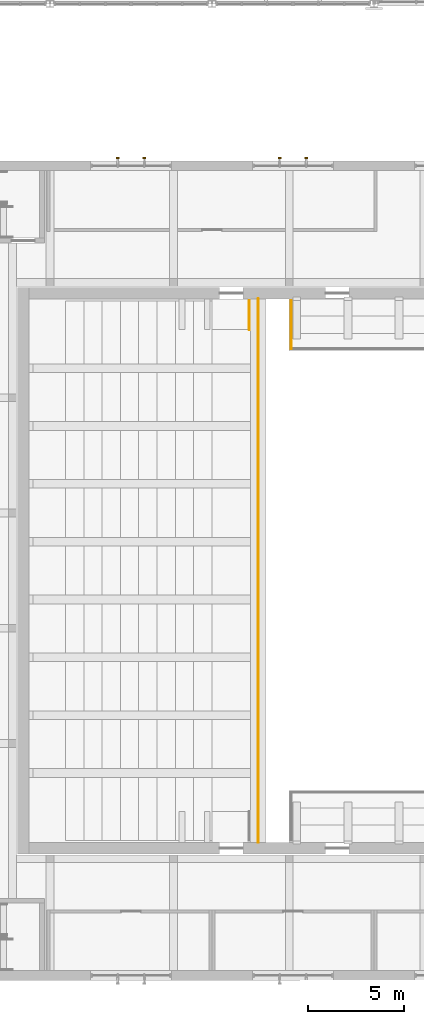
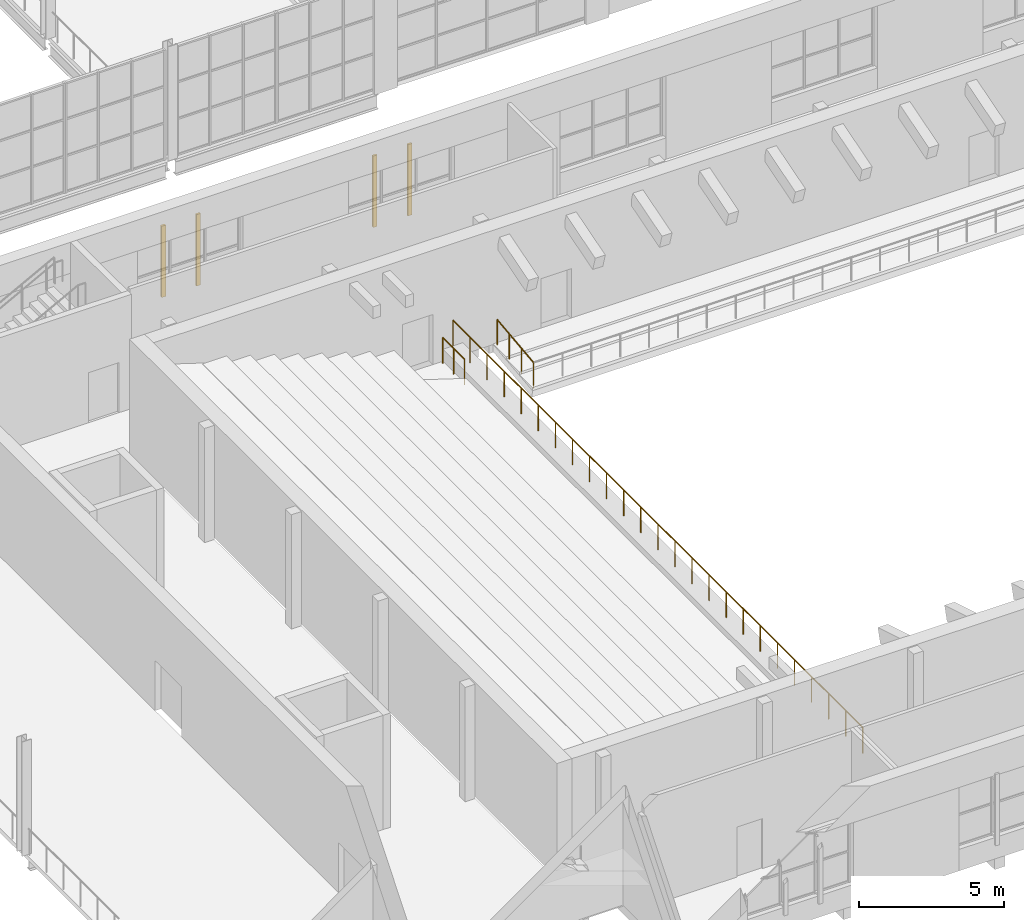
# One storey, part 118 of 127: 4 shading devices, 3 railings.
"""IFC4 building model written with IfcOpenShell, lengths in metres."""

from ifc_helpers import new_model, si_unit, direction, frame, origin, origin_2d, place, context, subcontext, project, spatial, rectangle, circle, extrude, material, type_object, element, save


model = new_model("IFC4")

# Units and contexts
model_context = context("Model", 3, precision=1e-05, world=origin(), true_north=direction((0.0, 1.0)))
body_context = subcontext(model_context, "Body", "Model", "MODEL_VIEW")
ifc_project = project(units=[si_unit("LENGTHUNIT", "METRE"), si_unit("AREAUNIT", "SQUARE_METRE"), si_unit("VOLUMEUNIT", "CUBIC_METRE"), si_unit("PLANEANGLEUNIT", "RADIAN"), si_unit("MASSUNIT", "GRAM", prefix="KILO")], contexts=[model_context])

# Site, building, storey
site_placement = place(None, origin())
site = spatial("IfcSite", under=ifc_project, at=site_placement, CompositionType="ELEMENT")
building_placement = place(site_placement, origin())
building = spatial("IfcBuilding", under=site, at=building_placement, Name="Ljudholm Concert House", CompositionType="ELEMENT")
storey_placement = place(building_placement, frame((0.0, 0.0, 5.39990234375)))
storey = spatial("IfcBuildingStorey", under=building, at=storey_placement, Name="L01", CompositionType="ELEMENT", Elevation=5.39990234375)

# Shading devices
ifc_material_1 = material(Name="Aluminium extrusion with timber-grain PVDF finish", Category="aluminium")
shading_device_type = type_object("IfcShadingDeviceType", Name="FACADE FIN 80x160", PredefinedType="SHUTTER", material=ifc_material_1)
for number, where, z_axis, x_axis, name in (
    (1, (41.110107421875, 96.81005859375, 0.7001953125), (0.0, 0.0, 1.0), (0.0, 1.0, 0.0), "Facade fin"),
    (2, (42.489990234375, 96.81005859375, 0.7001953125), (0.0, 0.0, 1.0), (0.0, 1.0, 0.0), "Facade fin"),
    (3, (49.510009765625, 96.81005859375, 0.7001953125), (0.0, 0.0, 1.0), (0.0, 1.0, 0.0), "Facade fin"),
    (4, (50.889892578125, 96.81005859375, 0.7001953125), (0.0, 0.0, 1.0), (0.0, 1.0, 0.0), "Facade fin"),
):
    element("IfcShadingDevice", number, at=place(storey_placement, frame(where, z_axis=z_axis, x_axis=x_axis)), inside=storey, type_object=shading_device_type, Name=name, PredefinedType="SHUTTER", context=body_context, shape_type="SweptSolid", body=[
        extrude(rectangle(XDim=0.080078125, YDim=0.159912109375, at=origin_2d()), origin(), (0.0, 0.0, 1.0), 3.0),
    ])

# Railings
ifc_material_2 = material(Name="Steel ASTM A36", Category="steel")
railing_type = type_object("IfcRailingType", Name="GUARD 1100", PredefinedType="GUARDRAIL", material=ifc_material_2)
railing_1_placement = place(storey_placement, frame((47.93994140625, 87.89990234375, 0.0)))
element("IfcRailing", 5, at=railing_1_placement, inside=storey, type_object=railing_type, Name="Landing guard", PredefinedType="GUARDRAIL", context=body_context, shape_type="SweptSolid", body=[
    extrude(circle(Radius=0.02490234375, at=origin_2d()), frame((0.0, 0.0, 1.0751953125), z_axis=(0.0, 1.0, 0.0), x_axis=(-1.0, 0.0, 0.0)), (0.0, 0.0, 1.0), 1.5),
    extrude(circle(Radius=0.02099609375, at=origin_2d()), origin(), (0.0, 0.0, 1.0), 1.050048828125),
    extrude(circle(Radius=0.02099609375, at=origin_2d()), frame((0.0, 0.75, 0.0)), (0.0, 0.0, 1.0), 1.050048828125),
    extrude(circle(Radius=0.02099609375, at=origin_2d()), frame((0.0, 1.5, 0.0)), (0.0, 0.0, 1.0), 1.050048828125),
])
railing_2_placement = place(storey_placement, frame((48.39990234375, 61.300048828125, 0.502685546875)))
element("IfcRailing", 6, at=railing_2_placement, inside=storey, type_object=railing_type, Name="Tier guard", PredefinedType="GUARDRAIL", context=body_context, shape_type="SweptSolid", body=[
    extrude(circle(Radius=0.02490234375, at=origin_2d()), frame((0.0, 0.0, 1.0751953125), z_axis=(0.0, 1.0, 0.0), x_axis=(-1.0, 0.0, 0.0)), (0.0, 0.0, 1.0), 28.199951171875),
    extrude(circle(Radius=0.02099609375, at=origin_2d()), origin(), (0.0, 0.0, 1.0), 1.050048828125),
    extrude(circle(Radius=0.02099609375, at=origin_2d()), frame((0.0, 1.175048828125, 0.0)), (0.0, 0.0, 1.0), 1.050048828125),
    extrude(circle(Radius=0.02099609375, at=origin_2d()), frame((0.0, 2.35009765625, 0.0)), (0.0, 0.0, 1.0), 1.050048828125),
    extrude(circle(Radius=0.02099609375, at=origin_2d()), frame((0.0, 3.52490234375, 0.0)), (0.0, 0.0, 1.0), 1.050048828125),
    extrude(circle(Radius=0.02099609375, at=origin_2d()), frame((0.0, 4.699951171875, 0.0)), (0.0, 0.0, 1.0), 1.050048828125),
    extrude(circle(Radius=0.02099609375, at=origin_2d()), frame((0.0, 5.875, 0.0)), (0.0, 0.0, 1.0), 1.050048828125),
    extrude(circle(Radius=0.02099609375, at=origin_2d()), frame((0.0, 7.050048828125, 0.0)), (0.0, 0.0, 1.0), 1.050048828125),
    extrude(circle(Radius=0.02099609375, at=origin_2d()), frame((0.0, 8.22509765625, 0.0)), (0.0, 0.0, 1.0), 1.050048828125),
    extrude(circle(Radius=0.02099609375, at=origin_2d()), frame((0.0, 9.39990234375, 0.0)), (0.0, 0.0, 1.0), 1.050048828125),
    extrude(circle(Radius=0.02099609375, at=origin_2d()), frame((0.0, 10.574951171875, 0.0)), (0.0, 0.0, 1.0), 1.050048828125),
    extrude(circle(Radius=0.02099609375, at=origin_2d()), frame((0.0, 11.75, 0.0)), (0.0, 0.0, 1.0), 1.050048828125),
    extrude(circle(Radius=0.02099609375, at=origin_2d()), frame((0.0, 12.925048828125, 0.0)), (0.0, 0.0, 1.0), 1.050048828125),
    extrude(circle(Radius=0.02099609375, at=origin_2d()), frame((0.0, 14.10009765625, 0.0)), (0.0, 0.0, 1.0), 1.050048828125),
    extrude(circle(Radius=0.02099609375, at=origin_2d()), frame((0.0, 15.27490234375, 0.0)), (0.0, 0.0, 1.0), 1.050048828125),
    extrude(circle(Radius=0.02099609375, at=origin_2d()), frame((0.0, 16.449951171875, 0.0)), (0.0, 0.0, 1.0), 1.050048828125),
    extrude(circle(Radius=0.02099609375, at=origin_2d()), frame((0.0, 17.625, 0.0)), (0.0, 0.0, 1.0), 1.050048828125),
    extrude(circle(Radius=0.02099609375, at=origin_2d()), frame((0.0, 18.800048828125, 0.0)), (0.0, 0.0, 1.0), 1.050048828125),
    extrude(circle(Radius=0.02099609375, at=origin_2d()), frame((0.0, 19.974853515625, 0.0)), (0.0, 0.0, 1.0), 1.050048828125),
    extrude(circle(Radius=0.02099609375, at=origin_2d()), frame((0.0, 21.14990234375, 0.0)), (0.0, 0.0, 1.0), 1.050048828125),
    extrude(circle(Radius=0.02099609375, at=origin_2d()), frame((0.0, 22.324951171875, 0.0)), (0.0, 0.0, 1.0), 1.050048828125),
    extrude(circle(Radius=0.02099609375, at=origin_2d()), frame((0.0, 23.5, 0.0)), (0.0, 0.0, 1.0), 1.050048828125),
    extrude(circle(Radius=0.02099609375, at=origin_2d()), frame((0.0, 24.675048828125, 0.0)), (0.0, 0.0, 1.0), 1.050048828125),
    extrude(circle(Radius=0.02099609375, at=origin_2d()), frame((0.0, 25.849853515625, 0.0)), (0.0, 0.0, 1.0), 1.050048828125),
    extrude(circle(Radius=0.02099609375, at=origin_2d()), frame((0.0, 27.02490234375, 0.0)), (0.0, 0.0, 1.0), 1.050048828125),
    extrude(circle(Radius=0.02099609375, at=origin_2d()), frame((0.0, 28.199951171875, 0.0)), (0.0, 0.0, 1.0), 1.050048828125),
])
railing_3_placement = place(storey_placement, frame((50.10009765625, 89.39990234375, 0.0)))
element("IfcRailing", 7, at=railing_3_placement, inside=storey, type_object=railing_type, Name="Gallery end guard", PredefinedType="GUARDRAIL", context=body_context, shape_type="SweptSolid", body=[
    extrude(circle(Radius=0.02490234375, at=origin_2d()), frame((0.0, 0.0, 1.0751953125), z_axis=(0.0, -0.993392781118, -0.114764029303), x_axis=(1.0, 0.0, 0.0)), (0.0, 0.0, 1.0), 2.5166015625),
    extrude(circle(Radius=0.02099609375, at=origin_2d()), origin(), (0.0, 0.0, 1.0), 1.050048828125),
    extrude(circle(Radius=0.02099609375, at=origin_2d()), frame((0.0, -0.833251953125, -0.09619140625)), (0.0, 0.0, 1.0), 1.050048828125),
    extrude(circle(Radius=0.02099609375, at=origin_2d()), frame((0.0, -1.666748046875, -0.192626953125)), (0.0, 0.0, 1.0), 1.050048828125),
    extrude(circle(Radius=0.02099609375, at=origin_2d()), frame((0.0, -2.5, -0.288818359375)), (0.0, 0.0, 1.0), 1.050048828125),
])

save(model, "model.ifc")
